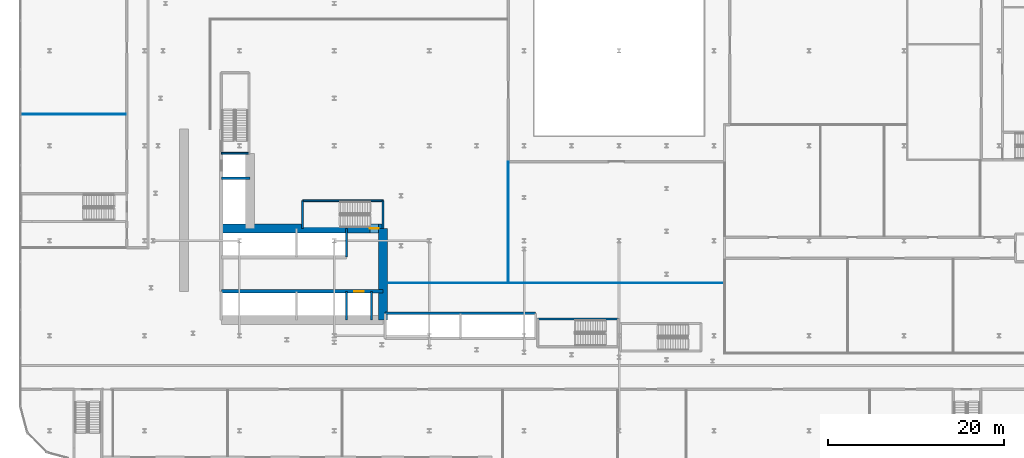
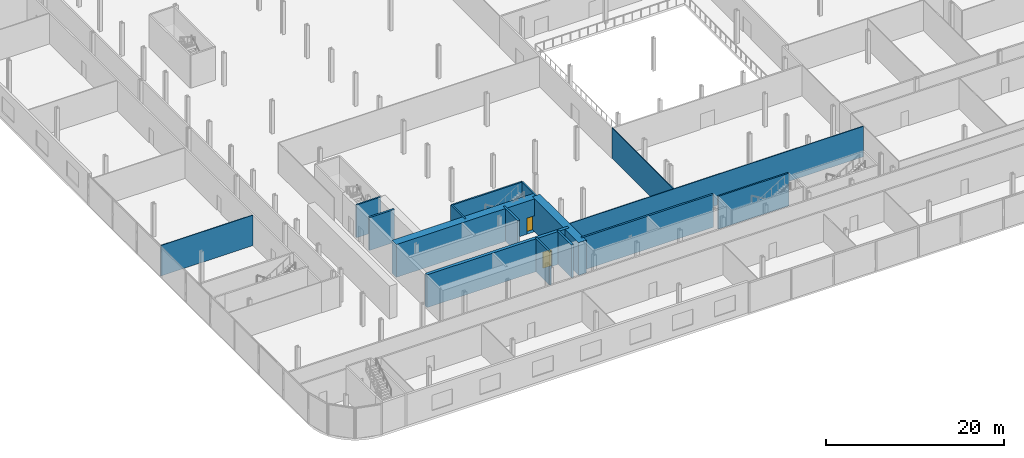
# One storey, part 29 of 47: 16 walls, 2 doors, 2 openings.
"""IFC4 building model written with IfcOpenShell, lengths in metres."""

from ifc_helpers import new_model, si_unit, direction, frame, frame_2d, origin, place, context, subcontext, project, spatial, rectangle, extrude, source, transform, mapped, material, layer, layer_set, type_object, element, fill, save


model = new_model("IFC4")

# Units and contexts
model_context = context("Model", 3, precision=1e-05, world=origin(), true_north=direction((0.0, 1.0)))
body_context = subcontext(model_context, "Body", "Model", "MODEL_VIEW")
ifc_project = project(units=[si_unit("LENGTHUNIT", "METRE"), si_unit("AREAUNIT", "SQUARE_METRE"), si_unit("VOLUMEUNIT", "CUBIC_METRE"), si_unit("PLANEANGLEUNIT", "RADIAN"), si_unit("MASSUNIT", "GRAM", prefix="KILO")], contexts=[model_context])

# Site, building, storey
site_placement = place(None, origin())
site = spatial("IfcSite", under=ifc_project, at=site_placement, CompositionType="ELEMENT")
building_placement = place(site_placement, origin())
building = spatial("IfcBuilding", under=site, at=building_placement, Name="Kheshtan School and Residences Tower", CompositionType="ELEMENT")
storey_placement = place(building_placement, frame((0.0, 0.0, 12.5)))
storey = spatial("IfcBuildingStorey", under=building, at=storey_placement, Name="L02", CompositionType="ELEMENT", Elevation=12.5)

# Wall, opening, door
ifc_material_1 = material(Name="Concrete C80/95", Category="concrete")
ifc_layer_1 = layer(ifc_material_1, 1.0)
ifc_layer_set_1 = layer_set([ifc_layer_1], Name="Core wall 1000 Concrete C80/95")
wall_type_1 = type_object("IfcWallType", Name="Core wall 1000 Concrete C80/95", PredefinedType="SHEAR", material=ifc_layer_set_1)
wall_1_placement = place(storey_placement, frame((34.75, 36.199951171875, 0.0), z_axis=(0.0, 0.0, 1.0), x_axis=(1.0, 0.0, 0.0)))
wall_1 = element("IfcWall", 1, at=wall_1_placement, inside=storey, type_object=wall_type_1, Name="Core wall CW-FRONT-S", PredefinedType="SHEAR", context=body_context, shape_type="SweptSolid", body=[
    extrude(rectangle(XDim=18.39990234375, YDim=1.0, at=frame_2d((9.199951171875, 0.0))), origin(), (0.0, 0.0, 1.0), 4.5),
])
opening_1_placement = place(wall_1_placement, frame((16.89990234375, 0.0, 0.0)))
opening_1 = element("IfcOpeningElement", 2, at=opening_1_placement, cuts=wall_1, Name="Opening ST1D", PredefinedType="OPENING", context=body_context, shape_type="SweptSolid", body=[
    extrude(rectangle(XDim=1.0, YDim=2.199951171875, at=frame_2d((0.5, 1.10009765625))), frame((0.0, 0.510009765625, 0.0), z_axis=(0.0, -1.0, 0.0), x_axis=(1.0, 0.0, 0.0)), (0.0, 0.0, 1.0), 1.02001953125),
])
ifc_material_2 = material(Name="Steel door leaf, galvanised", Category="steel")
door_type_1 = type_object("IfcDoorType", Name="Stair door 1100 steel 90 min", OperationType="SINGLE_SWING_LEFT", PredefinedType="DOOR", material=ifc_material_2)
shared_shape_1 = source(origin(), body_context, "Body", "SweptSolid", [
    extrude(rectangle(XDim=1.0, YDim=2.199951171875, at=frame_2d((0.5, 1.10009765625))), frame((0.0, 0.02490234375, 0.0), z_axis=(0.0, -1.0, 0.0), x_axis=(1.0, 0.0, 0.0)), (0.0, 0.0, 1.0), 0.050048828125),
])
door_1_placement = place(opening_1_placement, origin())
door_1 = element("IfcDoor", 3, at=door_1_placement, inside=storey, type_object=door_type_1, Name="Stair ST1 door", OperationType="SINGLE_SWING_RIGHT", OverallHeight=2.199951171875, OverallWidth=1.0, PredefinedType="DOOR", context=body_context, shape_type="MappedRepresentation", body=[
    mapped(shared_shape_1, transform((0.0, 0.0, 0.0), x_axis=(1.0, 0.0, 0.0), y_axis=(0.0, 1.0, 0.0), z_axis=(0.0, 0.0, 1.0), scale=1.0)),
])
fill(opening_1, door_1)

# Wall
wall_2_placement = place(storey_placement, frame((53.14990234375, 25.800048828125, 0.0), z_axis=(0.0, 0.0, 1.0), x_axis=(0.0, 1.0, 0.0)))
element("IfcWall", 4, at=wall_2_placement, inside=storey, type_object=wall_type_1, Name="Core wall CW-EAST", PredefinedType="SHEAR", context=body_context, shape_type="SweptSolid", body=[
    extrude(rectangle(XDim=10.39990234375, YDim=1.0, at=frame_2d((5.199951171875, 0.0))), origin(), (0.0, 0.0, 1.0), 4.5),
])

# Wall, opening, door
ifc_material_3 = material(Name="Concrete C50/60", Category="concrete")
ifc_layer_2 = layer(ifc_material_3, 0.39990234375)
ifc_layer_set_2 = layer_set([ifc_layer_2], Name="Core wall 400 Concrete C50/60")
wall_type_2 = type_object("IfcWallType", Name="Core wall 400 Concrete C50/60", PredefinedType="SHEAR", material=ifc_layer_set_2)
wall_3_placement = place(storey_placement, frame((34.75, 29.050048828125, 0.0), z_axis=(0.0, 0.0, 1.0), x_axis=(1.0, 0.0, 0.0)))
wall_3 = element("IfcWall", 5, at=wall_3_placement, inside=storey, type_object=wall_type_2, Name="Core wall CW-HALL-S1", PredefinedType="SHEAR", context=body_context, shape_type="SweptSolid", body=[
    extrude(rectangle(XDim=18.39990234375, YDim=0.39990234375, at=frame_2d((9.199951171875, 0.0))), origin(), (0.0, 0.0, 1.0), 4.5),
])
opening_2_placement = place(wall_3_placement, frame((15.125, 0.0, 0.0)))
opening_2 = element("IfcOpeningElement", 6, at=opening_2_placement, cuts=wall_3, Name="Opening LD", PredefinedType="OPENING", context=body_context, shape_type="SweptSolid", body=[
    extrude(rectangle(XDim=1.10009765625, YDim=2.199951171875, at=frame_2d((0.550048828125, 1.10009765625))), frame((0.0, 0.2099609375, 0.0), z_axis=(0.0, -1.0, 0.0), x_axis=(1.0, 0.0, 0.0)), (0.0, 0.0, 1.0), 0.419921875),
])
ifc_material_4 = material(Name="Stainless steel door leaves", Category="steel")
door_type_2 = type_object("IfcDoorType", Name="Lift landing door 1100", OperationType="SLIDING_TO_LEFT", PredefinedType="DOOR", material=ifc_material_4)
shared_shape_2 = source(origin(), body_context, "Body", "SweptSolid", [
    extrude(rectangle(XDim=1.10009765625, YDim=2.199951171875, at=frame_2d((0.550048828125, 1.10009765625))), frame((0.0, 0.02490234375, 0.0), z_axis=(0.0, -1.0, 0.0), x_axis=(1.0, 0.0, 0.0)), (0.0, 0.0, 1.0), 0.050048828125),
])
door_2_placement = place(opening_2_placement, origin())
door_2 = element("IfcDoor", 7, at=door_2_placement, inside=storey, type_object=door_type_2, Name="Lift FFL2 landing door", OperationType="SLIDING_TO_LEFT", OverallHeight=2.199951171875, OverallWidth=1.10009765625, PredefinedType="DOOR", context=body_context, shape_type="MappedRepresentation", body=[
    mapped(shared_shape_2, transform((0.0, 0.0, 0.0), x_axis=(1.0, 0.0, 0.0), y_axis=(0.0, 1.0, 0.0), z_axis=(0.0, 0.0, 1.0), scale=1.0)),
])
fill(opening_2, door_2)

# Walls
ifc_material_5 = material(Name="Gypsum board on steel studs", Category="steel")
ifc_layer_3 = layer(ifc_material_5, 0.10009765625)
ifc_layer_set_3 = layer_set([ifc_layer_3], Name="Gypsum partition 100")
wall_type_3 = type_object("IfcWallType", Name="Gypsum partition 100", PredefinedType="PARTITIONING", material=ifc_layer_set_3)
wall_4_placement = place(storey_placement, frame((12.0, 49.199951171875, 0.0), z_axis=(0.0, 0.0, 1.0), x_axis=(1.0, 0.0, 0.0)))
element("IfcWall", 8, at=wall_4_placement, inside=storey, type_object=wall_type_3, Name="Partition L02-004", PredefinedType="PARTITIONING", context=body_context, shape_type="SweptSolid", body=[
    extrude(rectangle(XDim=11.89990234375, YDim=0.10009765625, at=frame_2d((5.949951171875, 0.0))), origin(), (0.0, 0.0, 1.0), 4.179931640625),
])
wall_5_placement = place(storey_placement, frame((53.64892578125, 30.0, 0.0), z_axis=(0.0, 0.0, 1.0), x_axis=(1.0, 0.0, 0.0)))
element("IfcWall", 9, at=wall_5_placement, inside=storey, type_object=wall_type_3, Name="Partition L02-019", PredefinedType="PARTITIONING", context=body_context, shape_type="SweptSolid", body=[
    extrude(rectangle(XDim=38.301025390625, YDim=0.10009765625, at=frame_2d((19.150390625, 0.0))), origin(), (0.0, 0.0, 1.0), 4.179931640625),
])
wall_6_placement = place(storey_placement, frame((67.39990234375, 30.050048828125, 0.0), z_axis=(0.0, 0.0, 1.0), x_axis=(0.0, 1.0, 0.0)))
element("IfcWall", 10, at=wall_6_placement, inside=storey, type_object=wall_type_3, Name="Partition L02-029", PredefinedType="PARTITIONING", context=body_context, shape_type="SweptSolid", body=[
    extrude(rectangle(XDim=13.75, YDim=0.10009765625, at=frame_2d((6.875, 0.0))), origin(), (0.0, 0.0, 1.0), 4.179931640625),
])
ifc_material_6 = material(Name="Fire-board shaft wall system")
ifc_layer_4 = layer(ifc_material_6, 0.25)
ifc_layer_set_4 = layer_set([ifc_layer_4], Name="Shaft lining wall 250")
wall_type_4 = type_object("IfcWallType", Name="Shaft lining wall 250", PredefinedType="PARTITIONING", material=ifc_layer_set_4)
for number, where, z_axis, x_axis, name in (
    (11, (49.0, 25.800048828125, 0.0), (0.0, 0.0, 1.0), (0.0, 1.0, 0.0), "Shaft lining wall"),
    (12, (49.0, 32.949951171875, 0.0), (0.0, 0.0, 1.0), (0.0, 1.0, 0.0), "Shaft lining wall"),
    (13, (51.85009765625, 25.800048828125, 0.0), (0.0, 0.0, 1.0), (0.0, 1.0, 0.0), "Shaft lining wall"),
):
    element("IfcWall", number, at=place(storey_placement, frame(where, z_axis=z_axis, x_axis=x_axis)), inside=storey, type_object=wall_type_4, Name=name, PredefinedType="PARTITIONING", context=body_context, shape_type="SweptSolid", body=[
        extrude(rectangle(XDim=3.25, YDim=0.25, at=frame_2d((1.625, 0.0))), origin(), (0.0, 0.0, 1.0), 4.5),
    ])
wall_7_placement = place(storey_placement, frame((53.39990234375, 26.550048828125, 0.0), z_axis=(0.0, 0.0, 1.0), x_axis=(1.0, 0.0, 0.0)))
element("IfcWall", 14, at=wall_7_placement, inside=storey, type_object=wall_type_4, Name="Shaft lining wall", PredefinedType="PARTITIONING", context=body_context, shape_type="SweptSolid", body=[
    extrude(rectangle(XDim=17.10009765625, YDim=0.25, at=frame_2d((8.550048828125, 0.0))), origin(), (0.0, 0.0, 1.0), 4.5),
])
wall_8_placement = place(storey_placement, frame((34.75, 41.89990234375, 0.0), z_axis=(0.0, 0.0, 1.0), x_axis=(1.0, 0.0, 0.0)))
element("IfcWall", 15, at=wall_8_placement, inside=storey, type_object=wall_type_4, Name="Shaft lining wall", PredefinedType="PARTITIONING", context=body_context, shape_type="SweptSolid", body=[
    extrude(rectangle(XDim=3.25, YDim=0.25, at=frame_2d((1.625, 0.0))), origin(), (0.0, 0.0, 1.0), 4.5),
])
ifc_material_7 = material(Name="Concrete C40/50", Category="concrete")
ifc_layer_5 = layer(ifc_material_7, 0.199951171875)
ifc_layer_set_5 = layer_set([ifc_layer_5], Name="Stair enclosure wall 200 Concrete C40/50")
wall_type_5 = type_object("IfcWallType", Name="Stair enclosure wall 200 Concrete C40/50", PredefinedType="SHEAR", material=ifc_layer_set_5)
wall_9_placement = place(storey_placement, frame((43.989990234375, 39.35009765625, 0.0), z_axis=(0.0, 0.0, 1.0), x_axis=(1.0, 0.0, 0.0)))
element("IfcWall", 16, at=wall_9_placement, inside=storey, type_object=wall_type_5, Name="Stair enclosure wall ST1", PredefinedType="SHEAR", context=body_context, shape_type="SweptSolid", body=[
    extrude(rectangle(XDim=9.159912109375, YDim=0.199951171875, at=frame_2d((4.580078125, 0.0))), origin(), (0.0, 0.0, 1.0), 4.5),
])
for number, where, z_axis, x_axis, name in (
    (17, (43.989990234375, 36.199951171875, 0.0), (0.0, 0.0, 1.0), (0.0, 1.0, 0.0), "Stair enclosure wall ST1"),
    (18, (53.14990234375, 36.199951171875, 0.0), (0.0, 0.0, 1.0), (0.0, 1.0, 0.0), "Stair enclosure wall ST1"),
):
    element("IfcWall", number, at=place(storey_placement, frame(where, z_axis=z_axis, x_axis=x_axis)), inside=storey, type_object=wall_type_5, Name=name, PredefinedType="SHEAR", context=body_context, shape_type="SweptSolid", body=[
        extrude(rectangle(XDim=3.150146484375, YDim=0.199951171875, at=frame_2d((1.5751953125, 0.0))), origin(), (0.0, 0.0, 1.0), 4.5),
    ])
wall_10_placement = place(storey_placement, frame((34.75, 44.75, 0.0), z_axis=(0.0, 0.0, 1.0), x_axis=(1.0, 0.0, 0.0)))
element("IfcWall", 19, at=wall_10_placement, inside=storey, type_object=wall_type_5, Name="Stair enclosure wall ST2", PredefinedType="SHEAR", context=body_context, shape_type="SweptSolid", body=[
    extrude(rectangle(XDim=3.14990234375, YDim=0.199951171875, at=frame_2d((1.574951171875, 0.0))), origin(), (0.0, 0.0, 1.0), 4.5),
])
wall_11_placement = place(storey_placement, frame((70.75, 25.89990234375, 0.0), z_axis=(0.0, 0.0, 1.0), x_axis=(1.0, 0.0, 0.0)))
element("IfcWall", 20, at=wall_11_placement, inside=storey, type_object=wall_type_5, Name="Stair enclosure wall ST5", PredefinedType="SHEAR", context=body_context, shape_type="SweptSolid", body=[
    extrude(rectangle(XDim=9.159912109375, YDim=0.199951171875, at=frame_2d((4.580078125, 0.0))), origin(), (0.0, 0.0, 1.0), 4.5),
])

save(model, "model.ifc")
